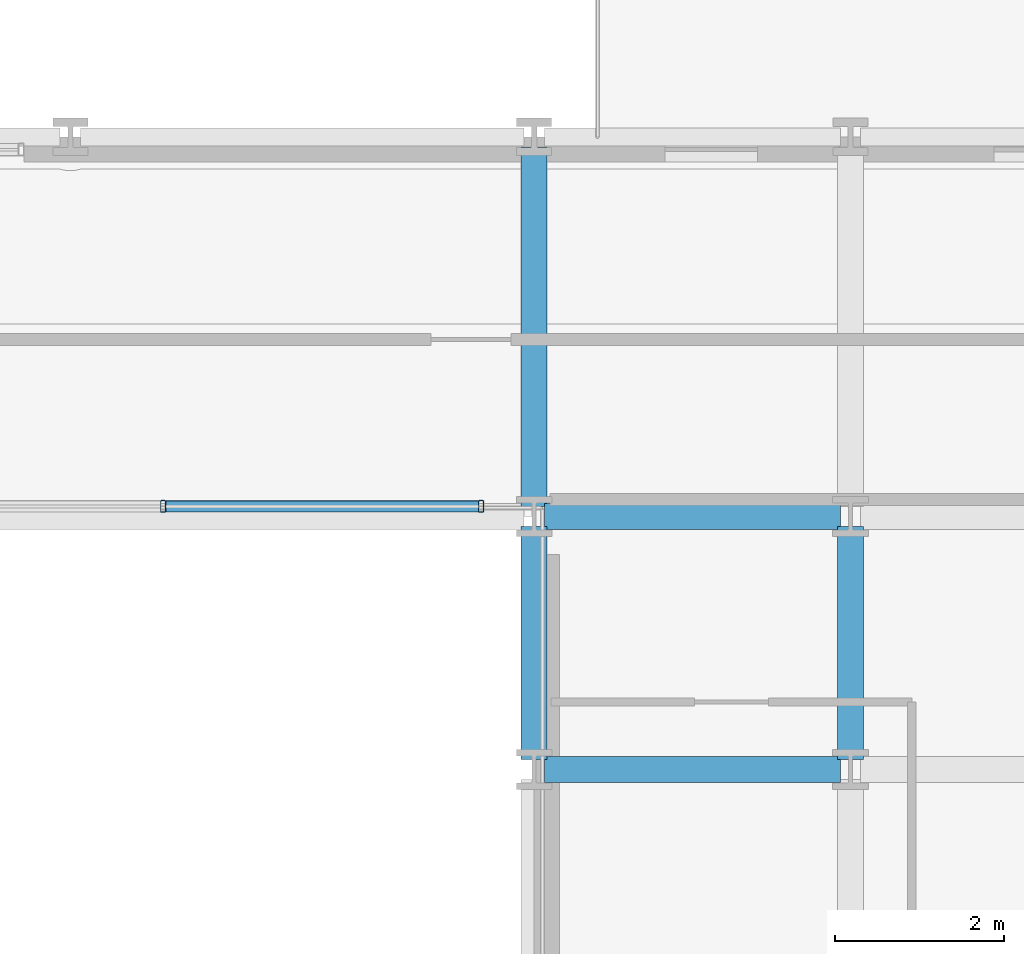
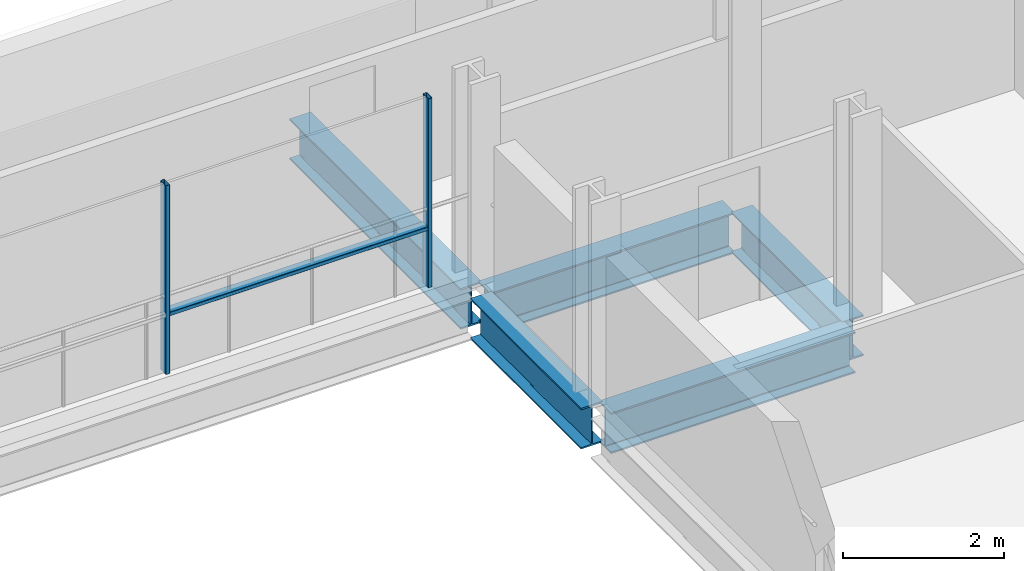
# One storey, part 17 of 41: 5 beams, 3 members, 1 element without a shape of its own.
"""IFC4 building model written with IfcOpenShell, lengths in metres."""

import ifcopenshell
import ifcopenshell.guid

model = None  # the IFC model being written
_history = None  # IfcOwnerHistory: only IFC2X3 demands one
_inside = {}  # id of a spatial element -> (the spatial element, [elements in it])
_under = {}  # id of a project, library or spatial element -> (it, [spatial elements below it])
_declared = {}  # id of a project -> (the project, [libraries it declares])
_typed = {}  # id of a type object -> (the type object, [elements of that type])
_made_of = {}  # id of a material, layer set ... -> (it, [elements and type objects made of it])


def new_model(schema):
    """Start an empty IFC model of exactly this schema.

    Asked for "IFC4X3", IfcOpenShell would pick the latest addendum, in which some entities
    have other attributes; the version numbers below select the first issue.
    IFC2X3 requires an IfcOwnerHistory on every rooted entity: one is made here for all.
    """
    global model, _history
    if schema == "IFC4X3":
        model = ifcopenshell.file(schema_version=(4, 3, 0, 0))
    else:
        model = ifcopenshell.file(schema=schema)
    _inside.clear()
    _under.clear()
    _declared.clear()
    _typed.clear()
    _made_of.clear()
    _history = None
    if model.schema == "IFC2X3":
        org = make("IfcOrganization", Name="unknown")
        user = make(
            "IfcPersonAndOrganization",
            ThePerson=make("IfcPerson", FamilyName="unknown"),
            TheOrganization=org,
        )
        app = make(
            "IfcApplication",
            ApplicationDeveloper=org,
            Version="unknown",
            ApplicationFullName="unknown",
            ApplicationIdentifier="unknown",
        )
        _history = make(
            "IfcOwnerHistory",
            OwningUser=user,
            OwningApplication=app,
            ChangeAction="ADDED",
            CreationDate=0,
        )
    return model


def make(cls, **values):
    """One entity of the class cls with the attributes given. An attribute that is None is left unset."""
    return model.create_entity(
        cls, **{name: value for name, value in values.items() if value is not None}
    )


def rooted(cls, **values):
    """An entity with a GlobalId (a new one), such as an element, a storey or a relation."""
    return make(cls, GlobalId=ifcopenshell.guid.new(), OwnerHistory=_history, **values)


def si_unit(unit_type, name, prefix=None):
    """IfcSIUnit, for example si_unit("LENGTHUNIT", "METRE", prefix="MILLI")."""
    return make("IfcSIUnit", UnitType=unit_type, Prefix=prefix, Name=name)


def assignment(units):
    """IfcUnitAssignment: the units of a project."""
    return None if units is None else make("IfcUnitAssignment", Units=units)


def point(xyz):
    """IfcCartesianPoint."""
    return None if xyz is None else make("IfcCartesianPoint", Coordinates=xyz)


def direction(xyz):
    """IfcDirection."""
    return None if xyz is None else make("IfcDirection", DirectionRatios=xyz)


def frame(location, z_axis=None, x_axis=None):
    """IfcAxis2Placement3D, a coordinate frame: its origin and axes. An axis left out is left unset."""
    return make(
        "IfcAxis2Placement3D",
        Location=point(location),
        Axis=direction(z_axis),
        RefDirection=direction(x_axis),
    )


def frame_2d(location, x_axis=None):
    """IfcAxis2Placement2D, a coordinate frame in the plane: its origin and x axis."""
    return make(
        "IfcAxis2Placement2D", Location=point(location), RefDirection=direction(x_axis)
    )


def origin():
    """The frame at (0, 0, 0) with its axes left unset."""
    return frame((0.0, 0.0, 0.0))


def origin_2d():
    """The frame at (0, 0) in the plane with its x axis left unset."""
    return frame_2d((0.0, 0.0))


def place(relative_to, where):
    """IfcLocalPlacement: puts the frame where relative to a parent placement (None: the world)."""
    return make(
        "IfcLocalPlacement", PlacementRelTo=relative_to, RelativePlacement=where
    )


def context(
    kind, dimensions, precision=None, world=None, true_north=None, identifier=None
):
    """IfcGeometricRepresentationContext, for example the 3D "Model" context."""
    return make(
        "IfcGeometricRepresentationContext",
        ContextIdentifier=identifier,
        ContextType=kind,
        CoordinateSpaceDimension=dimensions,
        Precision=precision,
        WorldCoordinateSystem=world,
        TrueNorth=true_north,
    )


def subcontext(parent, identifier, kind, view, scale=None):
    """IfcGeometricRepresentationSubContext, for example "Body" below "Model"."""
    return make(
        "IfcGeometricRepresentationSubContext",
        ContextIdentifier=identifier,
        ContextType=kind,
        ParentContext=parent,
        TargetScale=scale,
        TargetView=view,
    )


def project(units=None, contexts=None):
    """IfcProject with its units and contexts."""
    return rooted(
        "IfcProject",
        Name="project",
        RepresentationContexts=contexts,
        UnitsInContext=assignment(units),
    )


def spatial(cls, under=None, at=None, **own):
    """A site, building, storey or space (cls), placed at a placement, below another one or the project."""
    s = rooted(cls, ObjectPlacement=at, **own)
    if under is not None:
        _under.setdefault(under.id(), (under, []))[1].append(s)
    return s


def profile(cls, at=None, kind="AREA", **sizes):
    """A parametric profile (cls). Its sizes go by their IFC names, for example OverallWidth=200.0."""
    return make(cls, ProfileType=kind, Position=at, **sizes)


def hollow_rectangle(**sizes):
    """IfcRectangleHollowProfileDef."""
    return profile("IfcRectangleHollowProfileDef", **sizes)


def i_section(**sizes):
    """IfcIShapeProfileDef."""
    return profile("IfcIShapeProfileDef", **sizes)


def extrude(swept, where, along, depth):
    """IfcExtrudedAreaSolid: the profile swept, set in the frame where, extruded along a direction by depth."""
    return make(
        "IfcExtrudedAreaSolid",
        SweptArea=swept,
        Position=where,
        ExtrudedDirection=direction(along),
        Depth=depth,
    )


def shape(context_of_items, identifier, shape_type, items):
    """IfcShapeRepresentation: the items that make up one representation, for example the "Body"."""
    return make(
        "IfcShapeRepresentation",
        ContextOfItems=context_of_items,
        RepresentationIdentifier=identifier,
        RepresentationType=shape_type,
        Items=items,
    )


def material(Name=None, Category=None):
    """IfcMaterial."""
    return make("IfcMaterial", Name=Name, Category=Category)


def layer(
    of_material, thickness, ventilated=None, Name=None, Category=None, Priority=None
):
    """IfcMaterialLayer: one layer of a wall or slab, of a material (None: an air gap)."""
    return make(
        "IfcMaterialLayer",
        Material=of_material,
        LayerThickness=thickness,
        IsVentilated=ventilated,
        Name=Name,
        Category=Category,
        Priority=Priority,
    )


def layer_set(layers, Name=None):
    """IfcMaterialLayerSet."""
    return make("IfcMaterialLayerSet", MaterialLayers=layers, LayerSetName=Name)


def material_profile(
    of_material, cross_section, Name=None, Category=None, Priority=None
):
    """IfcMaterialProfile: a cross section and its material."""
    return make(
        "IfcMaterialProfile",
        Name=Name,
        Material=of_material,
        Profile=cross_section,
        Priority=Priority,
        Category=Category,
    )


def profile_set(profiles, Name=None, composite=None):
    """IfcMaterialProfileSet."""
    return make(
        "IfcMaterialProfileSet",
        Name=Name,
        MaterialProfiles=profiles,
        CompositeProfile=composite,
    )


def made_of(thing, what):
    """Note that an element or type object is made of a material, layer set ...; save() writes the relation."""
    if what is not None:
        _made_of.setdefault(what.id(), (what, []))[1].append(thing)
    return thing


def type_object(cls, material=None, **own):
    """A type object (cls), such as IfcWallType, which elements share."""
    return made_of(rooted(cls, **own), material)


def element(
    cls,
    number,
    at=None,
    inside=None,
    cuts=None,
    type_object=None,
    material=None,
    context=None,
    identifier="Body",
    shape_type=None,
    held_by="IfcProductDefinitionShape",
    body=None,
    shapes=None,
    **own,
):
    """One element of the class cls, such as IfcWall. Its Tag is "e" and its number.

    at: its placement. inside: the storey or other place that contains it. cuts: it is an
    opening in that element (IfcRelVoidsElement). A single representation is given by context,
    identifier, shape_type and body (its items); several are given by shapes. held_by: the class
    of the entity that holds the representations. save() writes the other relations.
    """
    e = rooted(cls, Tag="e%d" % number, ObjectPlacement=at, **own)
    if body is not None:
        shapes = [shape(context, identifier, shape_type, body)]
    if shapes is not None:
        e.Representation = make(held_by, Representations=shapes)
    if inside is not None:
        _inside.setdefault(inside.id(), (inside, []))[1].append(e)
    if cuts is not None:
        rooted(
            "IfcRelVoidsElement", RelatingBuildingElement=cuts, RelatedOpeningElement=e
        )
    if type_object is not None:
        _typed.setdefault(type_object.id(), (type_object, []))[1].append(e)
    return made_of(e, material)


def aggregate(whole, parts):
    """IfcRelAggregates: a whole, such as a stair, and the parts it consists of."""
    return rooted("IfcRelAggregates", RelatingObject=whole, RelatedObjects=parts)


def save(model, path):
    """Write the relations noted so far, then the file.

    IfcRelAggregates (storeys below a building ...), IfcRelContainedInSpatialStructure (elements
    in a storey), IfcRelDefinesByType, IfcRelAssociatesMaterial and IfcRelDeclares: one each for
    every whole, place, type object, material and project.
    """
    for whole, parts in _under.values():
        aggregate(whole, parts)
    for where, things in _inside.values():
        rooted(
            "IfcRelContainedInSpatialStructure",
            RelatedElements=things,
            RelatingStructure=where,
        )
    for kind, things in _typed.values():
        rooted("IfcRelDefinesByType", RelatedObjects=things, RelatingType=kind)
    for what, things in _made_of.values():
        rooted("IfcRelAssociatesMaterial", RelatedObjects=things, RelatingMaterial=what)
    for by, libraries in _declared.values():
        rooted("IfcRelDeclares", RelatingContext=by, RelatedDefinitions=libraries)
    model.write(path)


model = new_model("IFC4")

# Units and contexts
model_context = context("Model", 3, precision=1e-05, world=origin(), true_north=direction((0.0, 1.0)))
body_context = subcontext(model_context, "Body", "Model", "MODEL_VIEW")
ifc_project = project(units=[si_unit("LENGTHUNIT", "METRE"), si_unit("AREAUNIT", "SQUARE_METRE"), si_unit("VOLUMEUNIT", "CUBIC_METRE"), si_unit("PLANEANGLEUNIT", "RADIAN"), si_unit("MASSUNIT", "GRAM", prefix="KILO")], contexts=[model_context])

# Site, building, storey
site_placement = place(None, origin())
site = spatial("IfcSite", under=ifc_project, at=site_placement, CompositionType="ELEMENT")
building_placement = place(site_placement, origin())
building = spatial("IfcBuilding", under=site, at=building_placement, Name="Brevholm Reach", CompositionType="ELEMENT")
storey_placement = place(building_placement, frame((0.0, 0.0, 43.5)))
storey = spatial("IfcBuildingStorey", under=building, at=storey_placement, Name="L11", CompositionType="ELEMENT", Elevation=43.5)

# Beams
ifc_material_1 = material(Name="Structural Steel S355J2", Category="steel")
ifc_material_profile_1 = material_profile(ifc_material_1, i_section(OverallWidth=0.30712890625, OverallDepth=0.6201171875, WebThickness=0.01416015625, FlangeThickness=0.023681640625, FilletRadius=0.0166015625, at=origin_2d()), Name="UKB 610x305x179")
ifc_profile_set_1 = profile_set([ifc_material_profile_1], Name="Structural Steel S355J2")
beam_type = type_object("IfcBeamType", Name="BM-UKB610H", PredefinedType="USERDEFINED", material=ifc_profile_set_1)
for number, where, z_axis, x_axis, name in (
    (1, (38.3701171875, 23.5, -0.5400390625), (1.0, 0.0, 0.0), (0.0, 1.0, 0.0), "L11 G-06 Framing Beam"),
    (2, (38.3701171875, 26.5, -0.5400390625), (1.0, 0.0, 0.0), (0.0, 1.0, 0.0), "L11 G-06 Framing Beam"),
):
    element("IfcBeam", number, at=place(storey_placement, frame(where, z_axis=z_axis, x_axis=x_axis)), inside=storey, type_object=beam_type, Name=name, ObjectType="GIRDER", PredefinedType="USERDEFINED", context=body_context, shape_type="SweptSolid", body=[
        extrude(i_section(OverallWidth=0.30712890625, OverallDepth=0.6201171875, WebThickness=0.01416015625, FlangeThickness=0.023681640625, FilletRadius=0.0166015625, at=origin_2d()), origin(), (0.0, 0.0, 1.0), 3.509765625),
    ])
beam_1_placement = place(storey_placement, frame((38.25, 23.6201171875, -0.5400390625), z_axis=(0.0, 1.0, 0.0), x_axis=(-1.0, 0.0, 0.0)))
element("IfcBeam", 3, at=beam_1_placement, inside=storey, type_object=beam_type, Name="L11 G-06 Framing Beam", ObjectType="GIRDER", PredefinedType="USERDEFINED", context=body_context, shape_type="SweptSolid", body=[
    extrude(i_section(OverallWidth=0.30712890625, OverallDepth=0.6201171875, WebThickness=0.01416015625, FlangeThickness=0.023681640625, FilletRadius=0.0166015625, at=origin_2d()), origin(), (0.0, 0.0, 1.0), 2.759765625),
])
beam_2_placement = place(storey_placement, frame((38.25, 26.6201171875, -0.5400390625), z_axis=(0.0, 1.0, 0.0), x_axis=(-1.0, 0.0, 0.0)))
element("IfcBeam", 4, at=beam_2_placement, inside=storey, type_object=beam_type, Name="L11 G-06 Framing Beam", ObjectType="GIRDER", PredefinedType="USERDEFINED", context=body_context, shape_type="SweptSolid", body=[
    extrude(i_section(OverallWidth=0.30712890625, OverallDepth=0.6201171875, WebThickness=0.01416015625, FlangeThickness=0.023681640625, FilletRadius=0.0166015625, at=origin_2d()), origin(), (0.0, 0.0, 1.0), 4.259765625),
])
beam_3_placement = place(storey_placement, frame((42.0, 23.6201171875, -0.5400390625), z_axis=(0.0, 1.0, 0.0), x_axis=(-1.0, 0.0, 0.0)))
element("IfcBeam", 5, at=beam_3_placement, inside=storey, type_object=beam_type, Name="L11 G-06 Framing Beam", ObjectType="GIRDER", PredefinedType="USERDEFINED", context=body_context, shape_type="SweptSolid", body=[
    extrude(i_section(OverallWidth=0.30712890625, OverallDepth=0.6201171875, WebThickness=0.01416015625, FlangeThickness=0.023681640625, FilletRadius=0.0166015625, at=origin_2d()), origin(), (0.0, 0.0, 1.0), 2.759765625),
])

# Curtain wall, members
ifc_material_2 = material(Name="Dark Anodised Aluminium 6063-T6 and Solar-Control Glass", Category="aluminium")
ifc_layer = layer(ifc_material_2, 0.139892578125)
ifc_layer_set = layer_set([ifc_layer], Name="Dark Anodised Aluminium 6063-T6 and Solar-Control Glass")
curtain_wall_type = type_object("IfcCurtainWallType", Name="CW-02", PredefinedType="NOTDEFINED", material=ifc_layer_set)
curtain_wall_placement = place(storey_placement, origin())
curtain_wall = element("IfcCurtainWall", 6, at=curtain_wall_placement, inside=storey, type_object=curtain_wall_type, Name="L11 Curtain Wall CW-02", PredefinedType="NOTDEFINED")
ifc_material_3 = material(Name="Dark Anodised Aluminium 6063-T6", Category="aluminium")
ifc_material_profile_2 = material_profile(ifc_material_3, hollow_rectangle(XDim=0.06005859375, YDim=0.139892578125, WallThickness=0.0048828125, InnerFilletRadius=0.0048828125, OuterFilletRadius=0.010009765625, at=origin_2d()), Name="RHS 140x60x5")
ifc_profile_set_2 = profile_set([ifc_material_profile_2], Name="Dark Anodised Aluminium 6063-T6")
member_type_1 = type_object("IfcMemberType", Name="CWM-140", PredefinedType="MULLION", material=ifc_profile_set_2)
member_1_placement = place(storey_placement, frame((37.6201171875, 26.6201171875, 0.0), z_axis=(0.0, 0.0, 1.0), x_axis=(-1.0, 0.0, 0.0)))
member_1 = element("IfcMember", 7, at=member_1_placement, type_object=member_type_1, Name="CM-140 Mullion 1", PredefinedType="MULLION", context=body_context, shape_type="SweptSolid", body=[
    extrude(hollow_rectangle(XDim=0.06005859375, YDim=0.139892578125, WallThickness=0.0048828125, InnerFilletRadius=0.0048828125, OuterFilletRadius=0.010009765625, at=origin_2d()), origin(), (0.0, 0.0, 1.0), 2.8701171875),
])
member_2_placement = place(storey_placement, frame((33.85009765625, 26.6201171875, 0.0), z_axis=(0.0, 0.0, 1.0), x_axis=(-1.0, 0.0, 0.0)))
member_2 = element("IfcMember", 8, at=member_2_placement, type_object=member_type_1, Name="CM-140 Mullion 2", PredefinedType="MULLION", context=body_context, shape_type="SweptSolid", body=[
    extrude(hollow_rectangle(XDim=0.06005859375, YDim=0.139892578125, WallThickness=0.0048828125, InnerFilletRadius=0.0048828125, OuterFilletRadius=0.010009765625, at=origin_2d()), origin(), (0.0, 0.0, 1.0), 2.8701171875),
])
ifc_material_4 = material(Name="Dark Anodised Aluminium 6063-T6", Category="aluminium")
ifc_material_profile_3 = material_profile(ifc_material_4, hollow_rectangle(XDim=0.06005859375, YDim=0.139892578125, WallThickness=0.0048828125, InnerFilletRadius=0.0048828125, OuterFilletRadius=0.010009765625, at=origin_2d()), Name="RHS 140x60x5")
ifc_profile_set_3 = profile_set([ifc_material_profile_3], Name="Dark Anodised Aluminium 6063-T6")
member_type_2 = type_object("IfcMemberType", Name="CWT-140", PredefinedType="NOTDEFINED", material=ifc_profile_set_3)
member_3_placement = place(storey_placement, frame((37.590087890625, 26.6201171875, 0.89990234375), z_axis=(-1.0, 0.0, 0.0), x_axis=(0.0, 0.0, 1.0)))
member_3 = element("IfcMember", 9, at=member_3_placement, type_object=member_type_2, Name="CT-140 Transom 1.1", ObjectType="TRANSOM", PredefinedType="USERDEFINED", context=body_context, shape_type="SweptSolid", body=[
    extrude(hollow_rectangle(XDim=0.06005859375, YDim=0.139892578125, WallThickness=0.0048828125, InnerFilletRadius=0.0048828125, OuterFilletRadius=0.010009765625, at=origin_2d()), origin(), (0.0, 0.0, 1.0), 3.710205078125),
])
aggregate(curtain_wall, [member_1, member_2, member_3])

save(model, "model.ifc")
